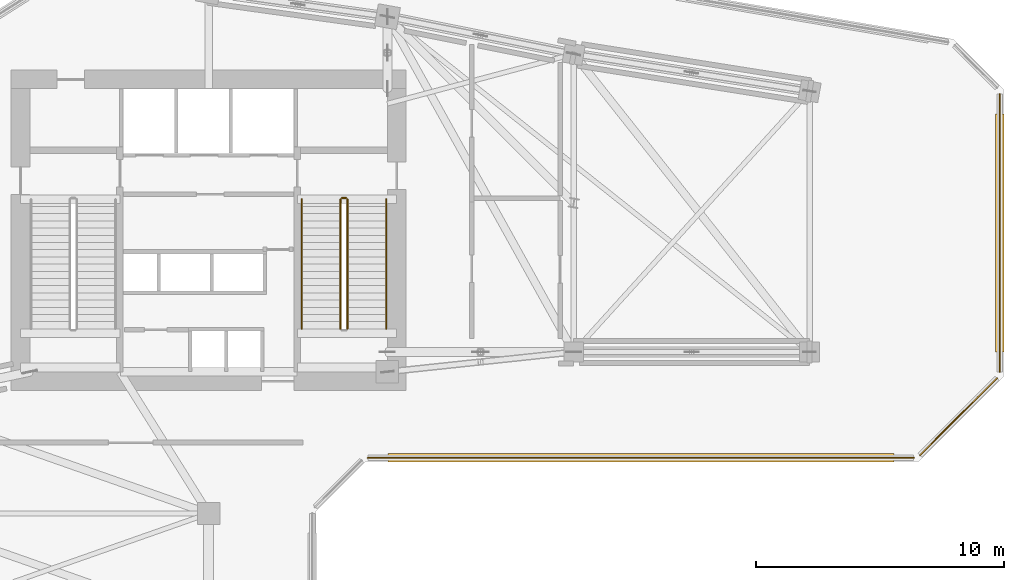
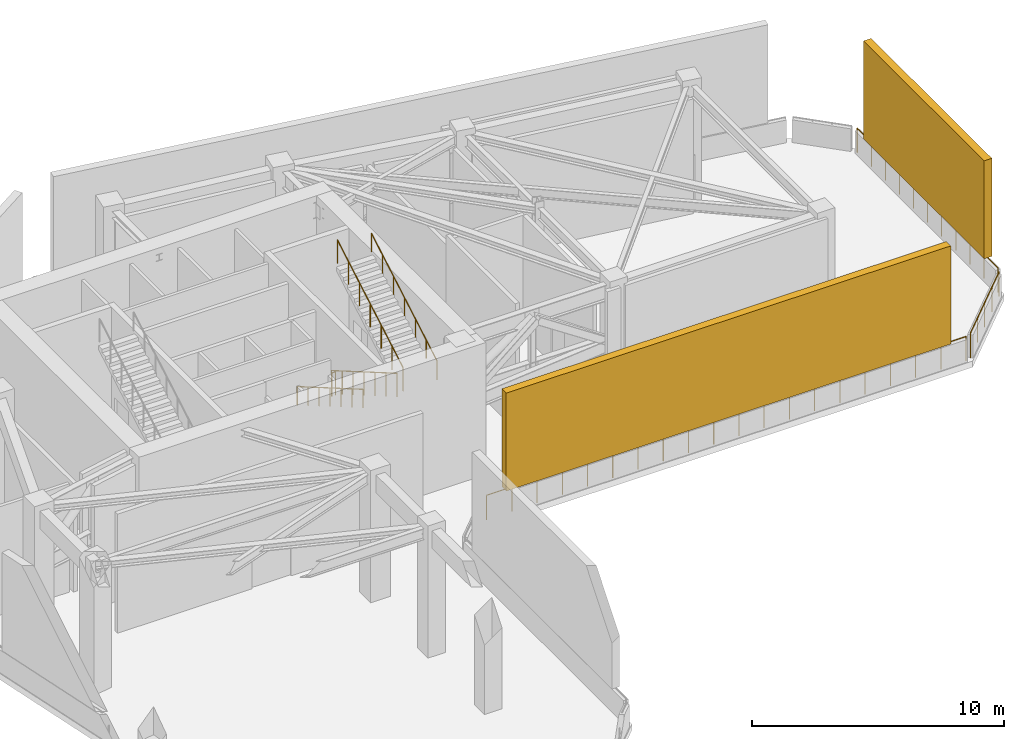
# One storey, part 9 of 10: 8 railings, 2 shading devices.
"""IFC4 building model written with IfcOpenShell, lengths in metres."""

from ifc_helpers import new_model, si_unit, direction, frame, frame_2d, origin, origin_2d, place, context, subcontext, project, spatial, rectangle, circle, extrude, material, type_object, element, save


model = new_model("IFC4")

# Units and contexts
model_context = context("Model", 3, precision=1e-05, world=origin(), true_north=direction((0.0, 1.0)))
body_context = subcontext(model_context, "Body", "Model", "MODEL_VIEW")
ifc_project = project(units=[si_unit("LENGTHUNIT", "METRE"), si_unit("AREAUNIT", "SQUARE_METRE"), si_unit("VOLUMEUNIT", "CUBIC_METRE"), si_unit("PLANEANGLEUNIT", "RADIAN"), si_unit("MASSUNIT", "GRAM", prefix="KILO")], contexts=[model_context])

# Site, building, storey
site_placement = place(None, origin())
site = spatial("IfcSite", under=ifc_project, at=site_placement, CompositionType="ELEMENT")
building_placement = place(site_placement, origin())
building = spatial("IfcBuilding", under=site, at=building_placement, Name="Calvemar Wedge Station Tower", CompositionType="ELEMENT")
storey_placement = place(building_placement, frame((0.0, 0.0, 171.800048828125)))
storey = spatial("IfcBuildingStorey", under=building, at=storey_placement, Name="L43", CompositionType="ELEMENT", Elevation=171.800048828125)

# Railings
ifc_material_1 = material(Name="Stainless steel AISI 316L", Category="steel")
railing_type_1 = type_object("IfcRailingType", Name="GRD-WIND-1200", PredefinedType="GUARDRAIL", material=ifc_material_1)
railing_1_placement = place(storey_placement, frame((30.2158203125, 30.741943359375, 0.0)))
element("IfcRailing", 1, at=railing_1_placement, inside=storey, type_object=railing_type_1, Name="Wind Floor L43 Perimeter Safety Guard 6", PredefinedType="GUARDRAIL", context=body_context, shape_type="SweptSolid", body=[
    extrude(circle(Radius=0.02392578125, at=origin_2d()), frame((0.0, 0.0, 1.17578125), z_axis=(1.0, 0.0, 0.0), x_axis=(0.0, 1.0, 0.0)), (0.0, 0.0, 1.0), 21.97216796875),
    extrude(circle(Radius=0.02099609375, at=origin_2d()), origin(), (0.0, 0.0, 1.0), 1.15185546875),
    extrude(circle(Radius=0.02099609375, at=origin_2d()), frame((1.156494140625, 0.0, 0.0)), (0.0, 0.0, 1.0), 1.15185546875),
    extrude(circle(Radius=0.02099609375, at=origin_2d()), frame((2.312744140625, 0.0, 0.0)), (0.0, 0.0, 1.0), 1.15185546875),
    extrude(circle(Radius=0.02099609375, at=origin_2d()), frame((3.46923828125, 0.0, 0.0)), (0.0, 0.0, 1.0), 1.15185546875),
    extrude(circle(Radius=0.02099609375, at=origin_2d()), frame((4.625732421875, 0.0, 0.0)), (0.0, 0.0, 1.0), 1.15185546875),
    extrude(circle(Radius=0.02099609375, at=origin_2d()), frame((5.7822265625, 0.0, 0.0)), (0.0, 0.0, 1.0), 1.15185546875),
    extrude(circle(Radius=0.02099609375, at=origin_2d()), frame((6.9384765625, 0.0, 0.0)), (0.0, 0.0, 1.0), 1.15185546875),
    extrude(circle(Radius=0.02099609375, at=origin_2d()), frame((8.094970703125, 0.0, 0.0)), (0.0, 0.0, 1.0), 1.15185546875),
    extrude(circle(Radius=0.02099609375, at=origin_2d()), frame((9.25146484375, 0.0, 0.0)), (0.0, 0.0, 1.0), 1.15185546875),
    extrude(circle(Radius=0.02099609375, at=origin_2d()), frame((10.407958984375, 0.0, 0.0)), (0.0, 0.0, 1.0), 1.15185546875),
    extrude(circle(Radius=0.02099609375, at=origin_2d()), frame((11.564208984375, 0.0, 0.0)), (0.0, 0.0, 1.0), 1.15185546875),
    extrude(circle(Radius=0.02099609375, at=origin_2d()), frame((12.720703125, 0.0, 0.0)), (0.0, 0.0, 1.0), 1.15185546875),
    extrude(circle(Radius=0.02099609375, at=origin_2d()), frame((13.877197265625, 0.0, 0.0)), (0.0, 0.0, 1.0), 1.15185546875),
    extrude(circle(Radius=0.02099609375, at=origin_2d()), frame((15.03369140625, 0.0, 0.0)), (0.0, 0.0, 1.0), 1.15185546875),
    extrude(circle(Radius=0.02099609375, at=origin_2d()), frame((16.18994140625, 0.0, 0.0)), (0.0, 0.0, 1.0), 1.15185546875),
    extrude(circle(Radius=0.02099609375, at=origin_2d()), frame((17.346435546875, 0.0, 0.0)), (0.0, 0.0, 1.0), 1.15185546875),
    extrude(circle(Radius=0.02099609375, at=origin_2d()), frame((18.5029296875, 0.0, 0.0)), (0.0, 0.0, 1.0), 1.15185546875),
    extrude(circle(Radius=0.02099609375, at=origin_2d()), frame((19.659423828125, 0.0, 0.0)), (0.0, 0.0, 1.0), 1.15185546875),
    extrude(circle(Radius=0.02099609375, at=origin_2d()), frame((20.815673828125, 0.0, 0.0)), (0.0, 0.0, 1.0), 1.15185546875),
    extrude(circle(Radius=0.02099609375, at=origin_2d()), frame((21.97216796875, 0.0, 0.0)), (0.0, 0.0, 1.0), 1.15185546875),
])
railing_2_placement = place(storey_placement, frame((52.44384765625, 30.84814453125, 0.0)))
element("IfcRailing", 2, at=railing_2_placement, inside=storey, type_object=railing_type_1, Name="Wind Floor L43 Perimeter Safety Guard 7", PredefinedType="GUARDRAIL", context=body_context, shape_type="SweptSolid", body=[
    extrude(circle(Radius=0.02392578125, at=origin_2d()), frame((0.0, 0.0, 1.17578125), z_axis=(0.707134624969, 0.707078936308, 0.0), x_axis=(-0.707078936308, 0.707134624969, 0.0)), (0.0, 0.0, 1.0), 4.384033203125),
    extrude(circle(Radius=0.02099609375, at=origin_2d()), origin(), (0.0, 0.0, 1.0), 1.15185546875),
    extrude(circle(Radius=0.02099609375, at=origin_2d()), frame((0.77490234375, 0.77490234375, 0.0)), (0.0, 0.0, 1.0), 1.15185546875),
    extrude(circle(Radius=0.02099609375, at=origin_2d()), frame((1.550048828125, 1.5498046875, 0.0)), (0.0, 0.0, 1.0), 1.15185546875),
    extrude(circle(Radius=0.02099609375, at=origin_2d()), frame((2.3251953125, 2.324951171875, 0.0)), (0.0, 0.0, 1.0), 1.15185546875),
    extrude(circle(Radius=0.02099609375, at=origin_2d()), frame((3.10009765625, 3.099853515625, 0.0)), (0.0, 0.0, 1.0), 1.15185546875),
])
railing_3_placement = place(storey_placement, frame((55.64990234375, 34.2041015625, 0.0)))
element("IfcRailing", 3, at=railing_3_placement, inside=storey, type_object=railing_type_1, Name="Wind Floor L43 Perimeter Safety Guard 8", PredefinedType="GUARDRAIL", context=body_context, shape_type="SweptSolid", body=[
    extrude(circle(Radius=0.02392578125, at=origin_2d()), frame((0.0, 0.0, 1.17578125), z_axis=(0.0, 1.0, 0.0), x_axis=(-1.0, 0.0, 0.0)), (0.0, 0.0, 1.0), 11.17578125),
    extrude(circle(Radius=0.02099609375, at=origin_2d()), origin(), (0.0, 0.0, 1.0), 1.15185546875),
    extrude(circle(Radius=0.02099609375, at=origin_2d()), frame((0.0, 1.11767578125, 0.0)), (0.0, 0.0, 1.0), 1.15185546875),
    extrude(circle(Radius=0.02099609375, at=origin_2d()), frame((0.0, 2.235107421875, 0.0)), (0.0, 0.0, 1.0), 1.15185546875),
    extrude(circle(Radius=0.02099609375, at=origin_2d()), frame((0.0, 3.352783203125, 0.0)), (0.0, 0.0, 1.0), 1.15185546875),
    extrude(circle(Radius=0.02099609375, at=origin_2d()), frame((0.0, 4.47021484375, 0.0)), (0.0, 0.0, 1.0), 1.15185546875),
    extrude(circle(Radius=0.02099609375, at=origin_2d()), frame((0.0, 5.587890625, 0.0)), (0.0, 0.0, 1.0), 1.15185546875),
    extrude(circle(Radius=0.02099609375, at=origin_2d()), frame((0.0, 6.70556640625, 0.0)), (0.0, 0.0, 1.0), 1.15185546875),
    extrude(circle(Radius=0.02099609375, at=origin_2d()), frame((0.0, 7.822998046875, 0.0)), (0.0, 0.0, 1.0), 1.15185546875),
    extrude(circle(Radius=0.02099609375, at=origin_2d()), frame((0.0, 8.940673828125, 0.0)), (0.0, 0.0, 1.0), 1.15185546875),
    extrude(circle(Radius=0.02099609375, at=origin_2d()), frame((0.0, 10.05810546875, 0.0)), (0.0, 0.0, 1.0), 1.15185546875),
    extrude(circle(Radius=0.02099609375, at=origin_2d()), frame((0.0, 11.17578125, 0.0)), (0.0, 0.0, 1.0), 1.15185546875),
])
railing_type_2 = type_object("IfcRailingType", Name="RL-HANDRAIL-920", PredefinedType="HANDRAIL", material=ifc_material_1)
railing_4_placement = place(storey_placement, frame((27.550048828125, 41.14990234375, 0.16845703125)))
element("IfcRailing", 4, at=railing_4_placement, inside=storey, type_object=railing_type_2, Name="L43 ST-C2 stair handrail 1", PredefinedType="HANDRAIL", context=body_context, shape_type="SweptSolid", body=[
    extrude(circle(Radius=0.02392578125, at=origin_2d()), frame((0.0, 0.0, 0.89599609375), z_axis=(0.0, -0.864749852614, 0.5022028399), x_axis=(1.0, 0.0, 0.0)), (0.0, 0.0, 1.0), 6.036376953125),
    extrude(circle(Radius=0.02099609375, at=origin_2d()), origin(), (0.0, 0.0, 1.0), 0.871826171875),
    extrude(circle(Radius=0.02099609375, at=origin_2d()), frame((0.0, -0.8701171875, 0.50537109375)), (0.0, 0.0, 1.0), 0.871826171875),
    extrude(circle(Radius=0.02099609375, at=origin_2d()), frame((0.0, -1.739990234375, 1.010498046875)), (0.0, 0.0, 1.0), 0.871826171875),
    extrude(circle(Radius=0.02099609375, at=origin_2d()), frame((0.0, -2.60986328125, 1.515625)), (0.0, 0.0, 1.0), 0.871826171875),
    extrude(circle(Radius=0.02099609375, at=origin_2d()), frame((0.0, -3.47998046875, 2.02099609375)), (0.0, 0.0, 1.0), 0.871826171875),
    extrude(circle(Radius=0.02099609375, at=origin_2d()), frame((0.0, -4.35009765625, 2.5263671875)), (0.0, 0.0, 1.0), 0.871826171875),
    extrude(circle(Radius=0.02099609375, at=origin_2d()), frame((0.0, -5.219970703125, 3.031494140625)), (0.0, 0.0, 1.0), 0.871826171875),
])
railing_5_placement = place(storey_placement, frame((30.949951171875, 35.929931640625, 3.368408203125)))
element("IfcRailing", 5, at=railing_5_placement, inside=storey, type_object=railing_type_2, Name="L43 ST-C2 stair handrail 2", PredefinedType="HANDRAIL", context=body_context, shape_type="SweptSolid", body=[
    extrude(circle(Radius=0.02392578125, at=origin_2d()), frame((0.0, 0.0, 0.89599609375), z_axis=(0.0, 0.864749852614, 0.5022028399), x_axis=(-1.0, 0.0, 0.0)), (0.0, 0.0, 1.0), 6.036376953125),
    extrude(circle(Radius=0.02099609375, at=origin_2d()), origin(), (0.0, 0.0, 1.0), 0.871826171875),
    extrude(circle(Radius=0.02099609375, at=origin_2d()), frame((0.0, 0.8701171875, 0.50537109375)), (0.0, 0.0, 1.0), 0.871826171875),
    extrude(circle(Radius=0.02099609375, at=origin_2d()), frame((0.0, 1.739990234375, 1.010498046875)), (0.0, 0.0, 1.0), 0.871826171875),
    extrude(circle(Radius=0.02099609375, at=origin_2d()), frame((0.0, 2.60986328125, 1.515625)), (0.0, 0.0, 1.0), 0.871826171875),
    extrude(circle(Radius=0.02099609375, at=origin_2d()), frame((0.0, 3.47998046875, 2.02099609375)), (0.0, 0.0, 1.0), 0.871826171875),
    extrude(circle(Radius=0.02099609375, at=origin_2d()), frame((0.0, 4.35009765625, 2.5263671875)), (0.0, 0.0, 1.0), 0.871826171875),
    extrude(circle(Radius=0.02099609375, at=origin_2d()), frame((0.0, 5.219970703125, 3.031494140625)), (0.0, 0.0, 1.0), 0.871826171875),
])
ifc_material_2 = material(Name="Painted steel guardrail ASTM A500 Grade C", Category="steel")
railing_type_3 = type_object("IfcRailingType", Name="RL-STAIR-GUARD-1150", PredefinedType="GUARDRAIL", material=ifc_material_2)
railing_6_placement = place(storey_placement, frame((29.110107421875, 41.14990234375, 0.16845703125)))
element("IfcRailing", 6, at=railing_6_placement, inside=storey, type_object=railing_type_3, Name="L43 ST-C2 stair guard 1", PredefinedType="GUARDRAIL", context=body_context, shape_type="SweptSolid", body=[
    extrude(circle(Radius=0.02392578125, at=origin_2d()), frame((0.0, 0.0, 1.1259765625), z_axis=(0.0, -0.864749852614, 0.5022028399), x_axis=(1.0, 0.0, 0.0)), (0.0, 0.0, 1.0), 6.036376953125),
    extrude(circle(Radius=0.02099609375, at=origin_2d()), origin(), (0.0, 0.0, 1.0), 1.101806640625),
    extrude(circle(Radius=0.02099609375, at=origin_2d()), frame((0.0, -0.8701171875, 0.50537109375)), (0.0, 0.0, 1.0), 1.101806640625),
    extrude(circle(Radius=0.02099609375, at=origin_2d()), frame((0.0, -1.739990234375, 1.010498046875)), (0.0, 0.0, 1.0), 1.101806640625),
    extrude(circle(Radius=0.02099609375, at=origin_2d()), frame((0.0, -2.60986328125, 1.515625)), (0.0, 0.0, 1.0), 1.101806640625),
    extrude(circle(Radius=0.02099609375, at=origin_2d()), frame((0.0, -3.47998046875, 2.02099609375)), (0.0, 0.0, 1.0), 1.101806640625),
    extrude(circle(Radius=0.02099609375, at=origin_2d()), frame((0.0, -4.35009765625, 2.5263671875)), (0.0, 0.0, 1.0), 1.101806640625),
    extrude(circle(Radius=0.02099609375, at=origin_2d()), frame((0.0, -5.219970703125, 3.031494140625)), (0.0, 0.0, 1.0), 1.101806640625),
])
railing_7_placement = place(storey_placement, frame((29.389892578125, 35.929931640625, 3.368408203125)))
element("IfcRailing", 7, at=railing_7_placement, inside=storey, type_object=railing_type_3, Name="L43 ST-C2 stair guard 3", PredefinedType="GUARDRAIL", context=body_context, shape_type="SweptSolid", body=[
    extrude(circle(Radius=0.02392578125, at=origin_2d()), frame((0.0, 0.0, 1.1259765625), z_axis=(0.0, 0.864749852614, 0.5022028399), x_axis=(-1.0, 0.0, 0.0)), (0.0, 0.0, 1.0), 6.036376953125),
    extrude(circle(Radius=0.02099609375, at=origin_2d()), origin(), (0.0, 0.0, 1.0), 1.101806640625),
    extrude(circle(Radius=0.02099609375, at=origin_2d()), frame((0.0, 0.8701171875, 0.50537109375)), (0.0, 0.0, 1.0), 1.101806640625),
    extrude(circle(Radius=0.02099609375, at=origin_2d()), frame((0.0, 1.739990234375, 1.010498046875)), (0.0, 0.0, 1.0), 1.101806640625),
    extrude(circle(Radius=0.02099609375, at=origin_2d()), frame((0.0, 2.60986328125, 1.515625)), (0.0, 0.0, 1.0), 1.101806640625),
    extrude(circle(Radius=0.02099609375, at=origin_2d()), frame((0.0, 3.47998046875, 2.02099609375)), (0.0, 0.0, 1.0), 1.101806640625),
    extrude(circle(Radius=0.02099609375, at=origin_2d()), frame((0.0, 4.35009765625, 2.5263671875)), (0.0, 0.0, 1.0), 1.101806640625),
    extrude(circle(Radius=0.02099609375, at=origin_2d()), frame((0.0, 5.219970703125, 3.031494140625)), (0.0, 0.0, 1.0), 1.101806640625),
])
railing_8_placement = place(storey_placement, frame((29.159912109375, 41.199951171875, 0.0)))
element("IfcRailing", 8, at=railing_8_placement, inside=storey, type_object=railing_type_3, Name="L43 ST-C2 stair guard 4", PredefinedType="GUARDRAIL", context=body_context, shape_type="SweptSolid", body=[
    extrude(circle(Radius=0.02392578125, at=origin_2d()), frame((0.0, 0.0, 1.1259765625), z_axis=(1.0, 0.0, 0.0), x_axis=(0.0, 1.0, 0.0)), (0.0, 0.0, 1.0), 0.18017578125),
    extrude(circle(Radius=0.02099609375, at=origin_2d()), origin(), (0.0, 0.0, 1.0), 1.101806640625),
    extrude(circle(Radius=0.02099609375, at=origin_2d()), frame((0.18017578125, 0.0, 0.0)), (0.0, 0.0, 1.0), 1.101806640625),
])

# Shading devices
ifc_material_3 = material(Name="Anodised aluminium 6063-T6", Category="aluminium")
shading_device_type = type_object("IfcShadingDeviceType", Name="SHD-LOUVRE-1", PredefinedType="JALOUSIE", material=ifc_material_3)
shading_device_1_placement = place(storey_placement, frame((31.015869140625, 30.741943359375, 1.199951171875), z_axis=(0.0, 0.0, 1.0), x_axis=(1.0, 0.0, 0.0)))
element("IfcShadingDevice", 9, at=shading_device_1_placement, inside=storey, type_object=shading_device_type, Name="Wind Floor L43 Jalousie Intake Louvre 6", PredefinedType="JALOUSIE", context=body_context, shape_type="SweptSolid", body=[
    extrude(rectangle(XDim=20.3720703125, YDim=0.35009765625, at=frame_2d((10.18603515625, 0.0))), origin(), (0.0, 0.0, 1.0), 4.75),
])
shading_device_2_placement = place(storey_placement, frame((55.64990234375, 35.004150390625, 1.199951171875), z_axis=(0.0, 0.0, 1.0), x_axis=(0.0, 1.0, 0.0)))
element("IfcShadingDevice", 10, at=shading_device_2_placement, inside=storey, type_object=shading_device_type, Name="Wind Floor L43 Jalousie Intake Louvre 8", PredefinedType="JALOUSIE", context=body_context, shape_type="SweptSolid", body=[
    extrude(rectangle(XDim=9.57568359375, YDim=0.35009765625, at=frame_2d((4.787841796875, 0.0))), origin(), (0.0, 0.0, 1.0), 4.75),
])

save(model, "model.ifc")
